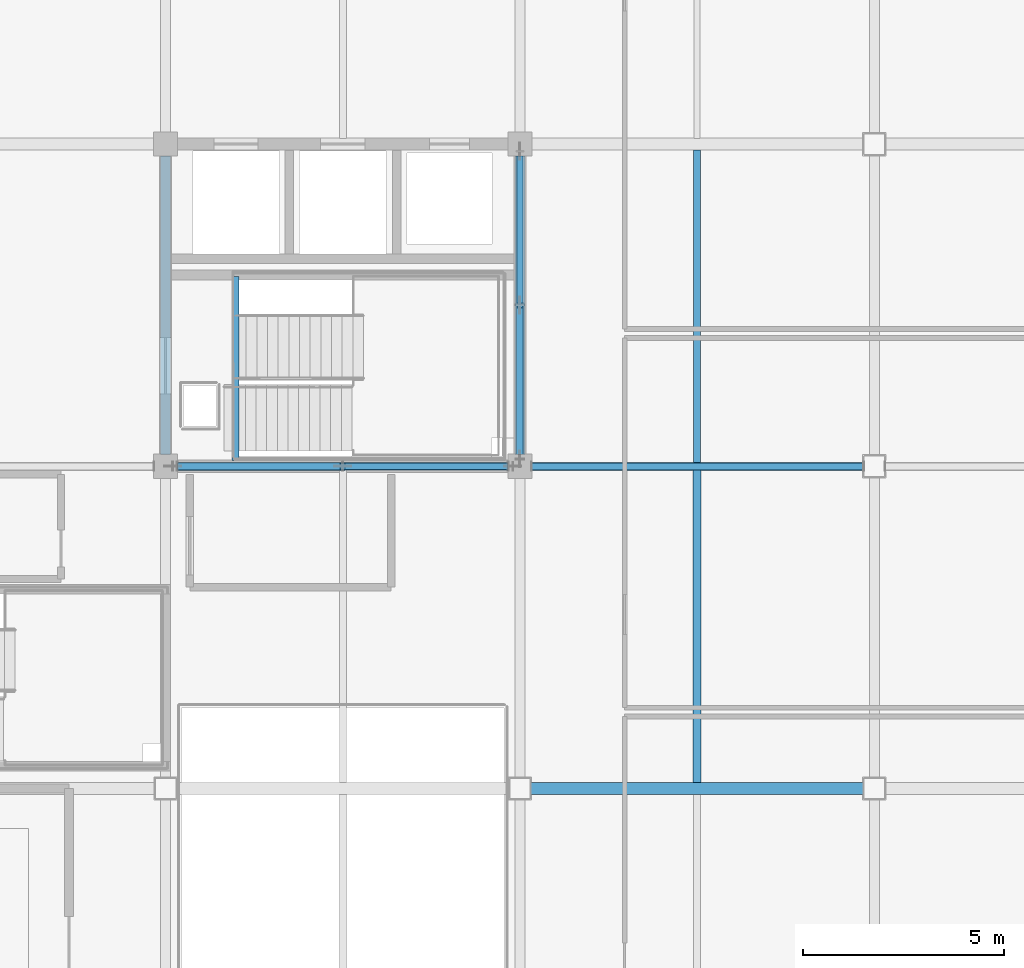
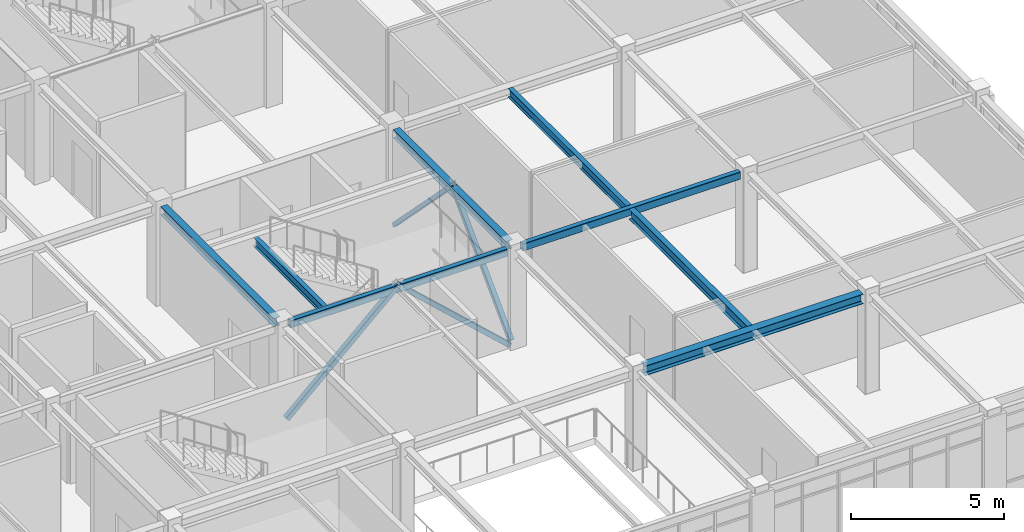
# One storey, part 19 of 88: 8 beams, 4 members.
"""IFC4 building model written with IfcOpenShell, lengths in metres."""

import ifcopenshell
import ifcopenshell.guid

model = None  # the IFC model being written
_history = None  # IfcOwnerHistory: only IFC2X3 demands one
_inside = {}  # id of a spatial element -> (the spatial element, [elements in it])
_under = {}  # id of a project, library or spatial element -> (it, [spatial elements below it])
_declared = {}  # id of a project -> (the project, [libraries it declares])
_typed = {}  # id of a type object -> (the type object, [elements of that type])
_made_of = {}  # id of a material, layer set ... -> (it, [elements and type objects made of it])


def new_model(schema):
    """Start an empty IFC model of exactly this schema.

    Asked for "IFC4X3", IfcOpenShell would pick the latest addendum, in which some entities
    have other attributes; the version numbers below select the first issue.
    IFC2X3 requires an IfcOwnerHistory on every rooted entity: one is made here for all.
    """
    global model, _history
    if schema == "IFC4X3":
        model = ifcopenshell.file(schema_version=(4, 3, 0, 0))
    else:
        model = ifcopenshell.file(schema=schema)
    _inside.clear()
    _under.clear()
    _declared.clear()
    _typed.clear()
    _made_of.clear()
    _history = None
    if model.schema == "IFC2X3":
        org = make("IfcOrganization", Name="unknown")
        user = make(
            "IfcPersonAndOrganization",
            ThePerson=make("IfcPerson", FamilyName="unknown"),
            TheOrganization=org,
        )
        app = make(
            "IfcApplication",
            ApplicationDeveloper=org,
            Version="unknown",
            ApplicationFullName="unknown",
            ApplicationIdentifier="unknown",
        )
        _history = make(
            "IfcOwnerHistory",
            OwningUser=user,
            OwningApplication=app,
            ChangeAction="ADDED",
            CreationDate=0,
        )
    return model


def make(cls, **values):
    """One entity of the class cls with the attributes given. An attribute that is None is left unset."""
    return model.create_entity(
        cls, **{name: value for name, value in values.items() if value is not None}
    )


def rooted(cls, **values):
    """An entity with a GlobalId (a new one), such as an element, a storey or a relation."""
    return make(cls, GlobalId=ifcopenshell.guid.new(), OwnerHistory=_history, **values)


def si_unit(unit_type, name, prefix=None):
    """IfcSIUnit, for example si_unit("LENGTHUNIT", "METRE", prefix="MILLI")."""
    return make("IfcSIUnit", UnitType=unit_type, Prefix=prefix, Name=name)


def assignment(units):
    """IfcUnitAssignment: the units of a project."""
    return None if units is None else make("IfcUnitAssignment", Units=units)


def point(xyz):
    """IfcCartesianPoint."""
    return None if xyz is None else make("IfcCartesianPoint", Coordinates=xyz)


def direction(xyz):
    """IfcDirection."""
    return None if xyz is None else make("IfcDirection", DirectionRatios=xyz)


def frame(location, z_axis=None, x_axis=None):
    """IfcAxis2Placement3D, a coordinate frame: its origin and axes. An axis left out is left unset."""
    return make(
        "IfcAxis2Placement3D",
        Location=point(location),
        Axis=direction(z_axis),
        RefDirection=direction(x_axis),
    )


def frame_2d(location, x_axis=None):
    """IfcAxis2Placement2D, a coordinate frame in the plane: its origin and x axis."""
    return make(
        "IfcAxis2Placement2D", Location=point(location), RefDirection=direction(x_axis)
    )


def origin():
    """The frame at (0, 0, 0) with its axes left unset."""
    return frame((0.0, 0.0, 0.0))


def origin_2d():
    """The frame at (0, 0) in the plane with its x axis left unset."""
    return frame_2d((0.0, 0.0))


def place(relative_to, where):
    """IfcLocalPlacement: puts the frame where relative to a parent placement (None: the world)."""
    return make(
        "IfcLocalPlacement", PlacementRelTo=relative_to, RelativePlacement=where
    )


def context(
    kind, dimensions, precision=None, world=None, true_north=None, identifier=None
):
    """IfcGeometricRepresentationContext, for example the 3D "Model" context."""
    return make(
        "IfcGeometricRepresentationContext",
        ContextIdentifier=identifier,
        ContextType=kind,
        CoordinateSpaceDimension=dimensions,
        Precision=precision,
        WorldCoordinateSystem=world,
        TrueNorth=true_north,
    )


def subcontext(parent, identifier, kind, view, scale=None):
    """IfcGeometricRepresentationSubContext, for example "Body" below "Model"."""
    return make(
        "IfcGeometricRepresentationSubContext",
        ContextIdentifier=identifier,
        ContextType=kind,
        ParentContext=parent,
        TargetScale=scale,
        TargetView=view,
    )


def project(units=None, contexts=None):
    """IfcProject with its units and contexts."""
    return rooted(
        "IfcProject",
        Name="project",
        RepresentationContexts=contexts,
        UnitsInContext=assignment(units),
    )


def spatial(cls, under=None, at=None, **own):
    """A site, building, storey or space (cls), placed at a placement, below another one or the project."""
    s = rooted(cls, ObjectPlacement=at, **own)
    if under is not None:
        _under.setdefault(under.id(), (under, []))[1].append(s)
    return s


def profile(cls, at=None, kind="AREA", **sizes):
    """A parametric profile (cls). Its sizes go by their IFC names, for example OverallWidth=200.0."""
    return make(cls, ProfileType=kind, Position=at, **sizes)


def hollow_rectangle(**sizes):
    """IfcRectangleHollowProfileDef."""
    return profile("IfcRectangleHollowProfileDef", **sizes)


def i_section(**sizes):
    """IfcIShapeProfileDef."""
    return profile("IfcIShapeProfileDef", **sizes)


def extrude(swept, where, along, depth):
    """IfcExtrudedAreaSolid: the profile swept, set in the frame where, extruded along a direction by depth."""
    return make(
        "IfcExtrudedAreaSolid",
        SweptArea=swept,
        Position=where,
        ExtrudedDirection=direction(along),
        Depth=depth,
    )


def shape(context_of_items, identifier, shape_type, items):
    """IfcShapeRepresentation: the items that make up one representation, for example the "Body"."""
    return make(
        "IfcShapeRepresentation",
        ContextOfItems=context_of_items,
        RepresentationIdentifier=identifier,
        RepresentationType=shape_type,
        Items=items,
    )


def material(Name=None, Category=None):
    """IfcMaterial."""
    return make("IfcMaterial", Name=Name, Category=Category)


def material_profile(
    of_material, cross_section, Name=None, Category=None, Priority=None
):
    """IfcMaterialProfile: a cross section and its material."""
    return make(
        "IfcMaterialProfile",
        Name=Name,
        Material=of_material,
        Profile=cross_section,
        Priority=Priority,
        Category=Category,
    )


def profile_set(profiles, Name=None, composite=None):
    """IfcMaterialProfileSet."""
    return make(
        "IfcMaterialProfileSet",
        Name=Name,
        MaterialProfiles=profiles,
        CompositeProfile=composite,
    )


def made_of(thing, what):
    """Note that an element or type object is made of a material, layer set ...; save() writes the relation."""
    if what is not None:
        _made_of.setdefault(what.id(), (what, []))[1].append(thing)
    return thing


def type_object(cls, material=None, **own):
    """A type object (cls), such as IfcWallType, which elements share."""
    return made_of(rooted(cls, **own), material)


def element(
    cls,
    number,
    at=None,
    inside=None,
    cuts=None,
    type_object=None,
    material=None,
    context=None,
    identifier="Body",
    shape_type=None,
    held_by="IfcProductDefinitionShape",
    body=None,
    shapes=None,
    **own,
):
    """One element of the class cls, such as IfcWall. Its Tag is "e" and its number.

    at: its placement. inside: the storey or other place that contains it. cuts: it is an
    opening in that element (IfcRelVoidsElement). A single representation is given by context,
    identifier, shape_type and body (its items); several are given by shapes. held_by: the class
    of the entity that holds the representations. save() writes the other relations.
    """
    e = rooted(cls, Tag="e%d" % number, ObjectPlacement=at, **own)
    if body is not None:
        shapes = [shape(context, identifier, shape_type, body)]
    if shapes is not None:
        e.Representation = make(held_by, Representations=shapes)
    if inside is not None:
        _inside.setdefault(inside.id(), (inside, []))[1].append(e)
    if cuts is not None:
        rooted(
            "IfcRelVoidsElement", RelatingBuildingElement=cuts, RelatedOpeningElement=e
        )
    if type_object is not None:
        _typed.setdefault(type_object.id(), (type_object, []))[1].append(e)
    return made_of(e, material)


def aggregate(whole, parts):
    """IfcRelAggregates: a whole, such as a stair, and the parts it consists of."""
    return rooted("IfcRelAggregates", RelatingObject=whole, RelatedObjects=parts)


def save(model, path):
    """Write the relations noted so far, then the file.

    IfcRelAggregates (storeys below a building ...), IfcRelContainedInSpatialStructure (elements
    in a storey), IfcRelDefinesByType, IfcRelAssociatesMaterial and IfcRelDeclares: one each for
    every whole, place, type object, material and project.
    """
    for whole, parts in _under.values():
        aggregate(whole, parts)
    for where, things in _inside.values():
        rooted(
            "IfcRelContainedInSpatialStructure",
            RelatedElements=things,
            RelatingStructure=where,
        )
    for kind, things in _typed.values():
        rooted("IfcRelDefinesByType", RelatedObjects=things, RelatingType=kind)
    for what, things in _made_of.values():
        rooted("IfcRelAssociatesMaterial", RelatedObjects=things, RelatingMaterial=what)
    for by, libraries in _declared.values():
        rooted("IfcRelDeclares", RelatingContext=by, RelatedDefinitions=libraries)
    model.write(path)


model = new_model("IFC4")

# Units and contexts
model_context = context("Model", 3, precision=1e-05, world=origin(), true_north=direction((0.0, 1.0)))
body_context = subcontext(model_context, "Body", "Model", "MODEL_VIEW")
ifc_project = project(units=[si_unit("LENGTHUNIT", "METRE"), si_unit("AREAUNIT", "SQUARE_METRE"), si_unit("VOLUMEUNIT", "CUBIC_METRE"), si_unit("PLANEANGLEUNIT", "RADIAN"), si_unit("MASSUNIT", "GRAM", prefix="KILO")], contexts=[model_context])

# Site, building, storey
site_placement = place(None, origin())
site = spatial("IfcSite", under=ifc_project, at=site_placement, CompositionType="ELEMENT")
building_placement = place(site_placement, origin())
building = spatial("IfcBuilding", under=site, at=building_placement, Name="Zhaolan Boulevard Law Courts", CompositionType="ELEMENT")
storey_placement = place(building_placement, frame((0.0, 0.0, 16.199951171875)))
storey = spatial("IfcBuildingStorey", under=building, at=storey_placement, Name="L03", CompositionType="ELEMENT", Elevation=16.199951171875)

# Members
ifc_material_1 = material(Name="Structural steel Q355B", Category="steel")
ifc_material_profile_1 = material_profile(ifc_material_1, hollow_rectangle(XDim=0.159912109375, YDim=0.159912109375, WallThickness=0.008056640625, InnerFilletRadius=0.008056640625, OuterFilletRadius=0.01611328125, at=origin_2d()), Name="HSS160x160x8")
ifc_profile_set_1 = profile_set([ifc_material_profile_1], Name="Structural steel Q355B")
member_type_1 = type_object("IfcMemberType", Name="BRACE HSS160", PredefinedType="BRACE", material=ifc_profile_set_1)
member_1_placement = place(storey_placement, frame((26.39990234375, 53.820068359375, 0.030029296875), z_axis=(0.0, -0.700651844954, 0.713503323161), x_axis=(1.0, 0.0, 0.0)))
element("IfcMember", 1, at=member_1_placement, inside=storey, type_object=member_type_1, Name="Core Brace BR-W1-L03-E2", PredefinedType="BRACE", context=body_context, shape_type="SweptSolid", body=[
    extrude(hollow_rectangle(XDim=0.159912109375, YDim=0.159912109375, WallThickness=0.008056640625, InnerFilletRadius=0.008056640625, OuterFilletRadius=0.01611328125, at=origin_2d()), origin(), (0.0, 0.0, 1.0), 5.4521484375),
])
ifc_material_2 = material(Name="Structural steel Q355B", Category="steel")
ifc_material_profile_2 = material_profile(ifc_material_2, hollow_rectangle(XDim=0.179931640625, YDim=0.179931640625, WallThickness=0.008056640625, InnerFilletRadius=0.008056640625, OuterFilletRadius=0.01611328125, at=origin_2d()), Name="HSS180x180x8")
ifc_profile_set_2 = profile_set([ifc_material_profile_2], Name="Structural steel Q355B")
member_type_2 = type_object("IfcMemberType", Name="BRACE HSS180", PredefinedType="BRACE", material=ifc_profile_set_2)
member_2_placement = place(storey_placement, frame((26.219970703125, 46.0, 0.030029296875), z_axis=(-0.73525664892, 0.0, 0.677788802076), x_axis=(0.0, -1.0, 0.0)))
element("IfcMember", 2, at=member_2_placement, inside=storey, type_object=member_type_2, Name="Core Brace BR-W1-L03-S2", PredefinedType="BRACE", context=body_context, shape_type="SweptSolid", body=[
    extrude(hollow_rectangle(XDim=0.179931640625, YDim=0.179931640625, WallThickness=0.008056640625, InnerFilletRadius=0.008056640625, OuterFilletRadius=0.01611328125, at=origin_2d()), origin(), (0.0, 0.0, 1.0), 5.739501953125),
])
member_3_placement = place(storey_placement, frame((26.39990234375, 46.179931640625, 0.030029296875), z_axis=(0.0, 0.700651844954, 0.713503323161), x_axis=(-1.0, 0.0, 0.0)))
element("IfcMember", 3, at=member_3_placement, inside=storey, type_object=member_type_2, Name="Core Brace BR-W1-L03-E1", PredefinedType="BRACE", context=body_context, shape_type="SweptSolid", body=[
    extrude(hollow_rectangle(XDim=0.179931640625, YDim=0.179931640625, WallThickness=0.008056640625, InnerFilletRadius=0.008056640625, OuterFilletRadius=0.01611328125, at=origin_2d()), origin(), (0.0, 0.0, 1.0), 5.4521484375),
])
ifc_material_3 = material(Name="Structural steel Q355B", Category="steel")
ifc_material_profile_3 = material_profile(ifc_material_3, hollow_rectangle(XDim=0.199951171875, YDim=0.199951171875, WallThickness=0.010009765625, InnerFilletRadius=0.010009765625, OuterFilletRadius=0.02001953125, at=origin_2d()), Name="HSS200x200x10")
ifc_profile_set_3 = profile_set([ifc_material_profile_3], Name="Structural steel Q355B")
member_type_3 = type_object("IfcMemberType", Name="BRACE HSS200", PredefinedType="BRACE", material=ifc_profile_set_3)
member_4_placement = place(storey_placement, frame((17.780029296875, 46.0, 0.030029296875), z_axis=(0.73525664892, 0.0, 0.677788802076), x_axis=(0.0, 1.0, 0.0)))
element("IfcMember", 4, at=member_4_placement, inside=storey, type_object=member_type_3, Name="Core Brace BR-W1-L03-S1", PredefinedType="BRACE", context=body_context, shape_type="SweptSolid", body=[
    extrude(hollow_rectangle(XDim=0.199951171875, YDim=0.199951171875, WallThickness=0.010009765625, InnerFilletRadius=0.010009765625, OuterFilletRadius=0.02001953125, at=origin_2d()), origin(), (0.0, 0.0, 1.0), 5.739501953125),
])

# Beams
ifc_material_4 = material(Name="Structural steel Q355B", Category="steel")
ifc_material_profile_4 = material_profile(ifc_material_4, i_section(OverallWidth=0.25, OverallDepth=0.340087890625, WebThickness=0.009033203125, FlangeThickness=0.013916015625, FilletRadius=0.01611328125, at=origin_2d()), Name="HM340x250")
ifc_profile_set_4 = profile_set([ifc_material_profile_4], Name="Structural steel Q355B")
beam_type_1 = type_object("IfcBeamType", Name="GIRDER HM340", PredefinedType="BEAM", material=ifc_profile_set_4)
for number, where, z_axis, x_axis, name in (
    (5, (17.60009765625, 46.2958984375, 3.778076171875), (0.0, 1.0, 0.0), (-1.0, 0.0, 0.0), "Beam BY-L04-3-G-H"),
    (6, (26.39990234375, 46.2958984375, 3.778076171875), (0.0, 1.0, 0.0), (-1.0, 0.0, 0.0), "Beam BY-L04-4-G-H"),
):
    element("IfcBeam", number, at=place(storey_placement, frame(where, z_axis=z_axis, x_axis=x_axis)), inside=storey, type_object=beam_type_1, Name=name, PredefinedType="BEAM", context=body_context, shape_type="SweptSolid", body=[
        extrude(i_section(OverallWidth=0.25, OverallDepth=0.340087890625, WebThickness=0.009033203125, FlangeThickness=0.013916015625, FilletRadius=0.01611328125, at=origin_2d()), origin(), (0.0, 0.0, 1.0), 7.408203125),
    ])
ifc_material_5 = material(Name="Structural steel Q355B", Category="steel")
ifc_material_profile_5 = material_profile(ifc_material_5, i_section(OverallWidth=0.300048828125, OverallDepth=0.389892578125, WebThickness=0.010009765625, FlangeThickness=0.01611328125, FilletRadius=0.01806640625, at=origin_2d()), Name="HM390x300")
ifc_profile_set_5 = profile_set([ifc_material_profile_5], Name="Structural steel Q355B")
beam_type_2 = type_object("IfcBeamType", Name="GIRDER HM390", PredefinedType="BEAM", material=ifc_profile_set_5)
beam_1_placement = place(storey_placement, frame((26.6708984375, 38.0, 3.7529296875), z_axis=(1.0, 0.0, 0.0), x_axis=(0.0, 1.0, 0.0)))
element("IfcBeam", 7, at=beam_1_placement, inside=storey, type_object=beam_type_2, Name="Beam BX-L04-4-5-F", PredefinedType="BEAM", context=body_context, shape_type="SweptSolid", body=[
    extrude(i_section(OverallWidth=0.300048828125, OverallDepth=0.389892578125, WebThickness=0.010009765625, FlangeThickness=0.01611328125, FilletRadius=0.01806640625, at=origin_2d()), origin(), (0.0, 0.0, 1.0), 8.258056640625),
])
ifc_material_6 = material(Name="Structural steel Q355B", Category="steel")
ifc_material_profile_6 = material_profile(ifc_material_6, i_section(OverallWidth=0.175048828125, OverallDepth=0.35009765625, WebThickness=0.007080078125, FlangeThickness=0.010986328125, FilletRadius=0.012939453125, at=origin_2d()), Name="HN350x175")
ifc_profile_set_6 = profile_set([ifc_material_profile_6], Name="Structural steel Q355B")
beam_type_3 = type_object("IfcBeamType", Name="JOIST HN350", PredefinedType="JOIST", material=ifc_profile_set_6)
beam_2_placement = place(storey_placement, frame((30.800048828125, 46.095947265625, 3.77294921875), z_axis=(0.0, 1.0, 0.0), x_axis=(-1.0, 0.0, 0.0)))
element("IfcBeam", 8, at=beam_2_placement, inside=storey, type_object=beam_type_3, Name="Composite Joist J-L04-4G", PredefinedType="JOIST", context=body_context, shape_type="SweptSolid", body=[
    extrude(i_section(OverallWidth=0.175048828125, OverallDepth=0.35009765625, WebThickness=0.007080078125, FlangeThickness=0.010986328125, FilletRadius=0.012939453125, at=origin_2d()), origin(), (0.0, 0.0, 1.0), 7.758056640625),
])
ifc_material_7 = material(Name="Structural steel Q355B", Category="steel")
ifc_material_profile_7 = material_profile(ifc_material_7, i_section(OverallWidth=0.199951171875, OverallDepth=0.39990234375, WebThickness=0.008056640625, FlangeThickness=0.012939453125, FilletRadius=0.013916015625, at=origin_2d()), Name="HN400x200")
ifc_profile_set_7 = profile_set([ifc_material_profile_7], Name="Structural steel Q355B")
beam_type_4 = type_object("IfcBeamType", Name="JOIST HN400", PredefinedType="JOIST", material=ifc_profile_set_7)
beam_3_placement = place(storey_placement, frame((30.800048828125, 38.14599609375, 3.748046875), z_axis=(0.0, 1.0, 0.0), x_axis=(-1.0, 0.0, 0.0)))
element("IfcBeam", 9, at=beam_3_placement, inside=storey, type_object=beam_type_4, Name="Composite Joist J-L04-4F", PredefinedType="JOIST", context=body_context, shape_type="SweptSolid", body=[
    extrude(i_section(OverallWidth=0.199951171875, OverallDepth=0.39990234375, WebThickness=0.008056640625, FlangeThickness=0.012939453125, FilletRadius=0.013916015625, at=origin_2d()), origin(), (0.0, 0.0, 1.0), 7.758056640625),
])
ifc_material_8 = material(Name="Structural steel Q355B", Category="steel")
ifc_material_profile_8 = material_profile(ifc_material_8, hollow_rectangle(XDim=0.199951171875, YDim=0.300048828125, WallThickness=0.011962890625, InnerFilletRadius=0.011962890625, OuterFilletRadius=0.02392578125, at=origin_2d()), Name="HSS300x200x12")
ifc_profile_set_8 = profile_set([ifc_material_profile_8], Name="Structural steel Q355B")
beam_type_5 = type_object("IfcBeamType", Name="SPANDREL HSS300", PredefinedType="SPANDREL", material=ifc_profile_set_8)
beam_4_placement = place(storey_placement, frame((17.89599609375, 46.0, 3.798095703125), z_axis=(1.0, 0.0, 0.0), x_axis=(0.0, 1.0, 0.0)))
element("IfcBeam", 10, at=beam_4_placement, inside=storey, type_object=beam_type_5, Name="Beam BX-L04-3-4-G", PredefinedType="SPANDREL", context=body_context, shape_type="SweptSolid", body=[
    extrude(hollow_rectangle(XDim=0.199951171875, YDim=0.300048828125, WallThickness=0.011962890625, InnerFilletRadius=0.011962890625, OuterFilletRadius=0.02392578125, at=origin_2d()), origin(), (0.0, 0.0, 1.0), 8.2080078125),
])
beam_5_placement = place(storey_placement, frame((26.696044921875, 46.0, 3.798095703125), z_axis=(1.0, 0.0, 0.0), x_axis=(0.0, 1.0, 0.0)))
element("IfcBeam", 11, at=beam_5_placement, inside=storey, type_object=beam_type_5, Name="Beam BX-L04-4-5-G", PredefinedType="SPANDREL", context=body_context, shape_type="SweptSolid", body=[
    extrude(hollow_rectangle(XDim=0.199951171875, YDim=0.300048828125, WallThickness=0.011962890625, InnerFilletRadius=0.011962890625, OuterFilletRadius=0.02392578125, at=origin_2d()), origin(), (0.0, 0.0, 1.0), 8.23291015625),
])
ifc_material_9 = material(Name="Structural steel Q355B", Category="steel")
ifc_material_profile_9 = material_profile(ifc_material_9, i_section(OverallWidth=0.175048828125, OverallDepth=0.35009765625, WebThickness=0.007080078125, FlangeThickness=0.010986328125, FilletRadius=0.012939453125, at=origin_2d()), Name="HN350x175")
ifc_profile_set_9 = profile_set([ifc_material_profile_9], Name="Structural steel Q355B")
beam_type_6 = type_object("IfcBeamType", Name="STAIR TRIMMER HN350", PredefinedType="BEAM", material=ifc_profile_set_9)
beam_6_placement = place(storey_placement, frame((19.3349609375, 46.139892578125, 3.735107421875), z_axis=(0.0, 1.0, 0.0), x_axis=(-1.0, 0.0, 0.0)))
element("IfcBeam", 12, at=beam_6_placement, inside=storey, type_object=beam_type_6, Name="Stair Landing Trimmer Beam STB-ST01-L04", PredefinedType="BEAM", context=body_context, shape_type="SweptSolid", body=[
    extrude(i_section(OverallWidth=0.175048828125, OverallDepth=0.35009765625, WebThickness=0.007080078125, FlangeThickness=0.010986328125, FilletRadius=0.012939453125, at=origin_2d()), origin(), (0.0, 0.0, 1.0), 4.570068359375),
])

save(model, "model.ifc")
